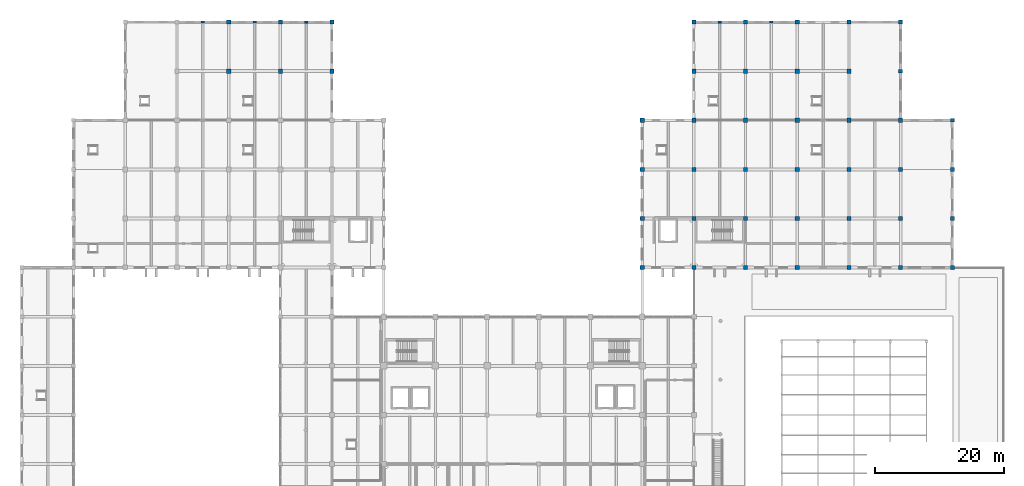
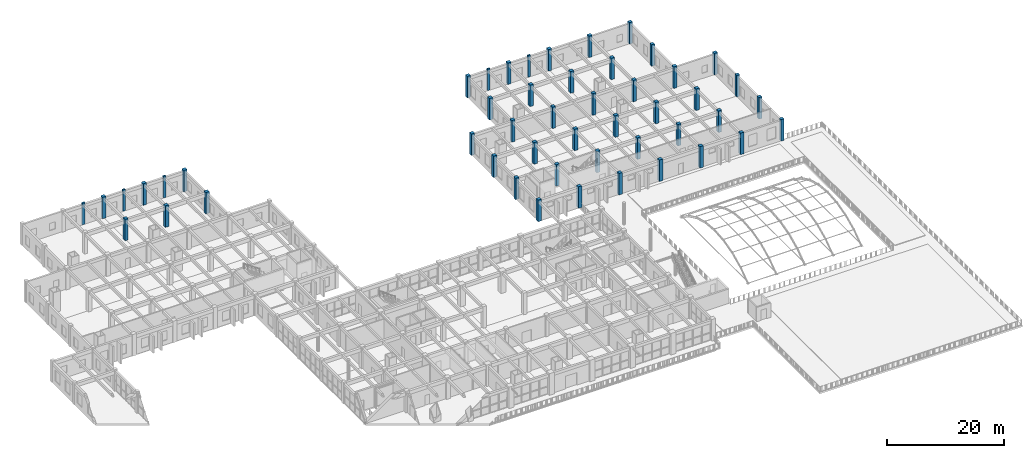
# One storey, part 2 of 79: 49 columns.
"""IFC4 building model written with IfcOpenShell, lengths in metres."""

from ifc_helpers import new_model, si_unit, direction, frame, origin, origin_2d, place, context, subcontext, project, spatial, rectangle, extrude, material, material_profile, profile_set, type_object, element, save


model = new_model("IFC4")

# Units and contexts
model_context = context("Model", 3, precision=1e-05, world=origin(), true_north=direction((0.0, 1.0)))
body_context = subcontext(model_context, "Body", "Model", "MODEL_VIEW")
ifc_project = project(units=[si_unit("LENGTHUNIT", "METRE"), si_unit("AREAUNIT", "SQUARE_METRE"), si_unit("VOLUMEUNIT", "CUBIC_METRE"), si_unit("PLANEANGLEUNIT", "RADIAN"), si_unit("MASSUNIT", "GRAM", prefix="KILO")], contexts=[model_context])

# Site, building, storey
site_placement = place(None, origin())
site = spatial("IfcSite", under=ifc_project, at=site_placement, CompositionType="ELEMENT")
building_placement = place(site_placement, origin())
building = spatial("IfcBuilding", under=site, at=building_placement, Name="Zantavel Square City Hall", CompositionType="ELEMENT")
storey_placement = place(building_placement, frame((0.0, 0.0, 10.199951171875)))
storey = spatial("IfcBuildingStorey", under=building, at=storey_placement, Name="L03", CompositionType="ELEMENT", Elevation=10.199951171875)

# Columns
ifc_material = material(Name="Concrete C40/50", Category="concrete")
ifc_material_profile_1 = material_profile(ifc_material, rectangle(XDim=0.60009765625, YDim=0.60009765625, at=origin_2d()), Name="RC 600x600")
ifc_profile_set_1 = profile_set([ifc_material_profile_1], Name="Concrete C40/50")
column_type_1 = type_object("IfcColumnType", Name="Column RC 600x600 C40/50", PredefinedType="COLUMN", material=ifc_profile_set_1)
for number, where, z_axis, x_axis, name in (
    (1, (144.0, 106.39990234375, 0.0), (0.0, 0.0, 1.0), (1.0, 0.0, 0.0), "L03 Column COL-L03-1440-1064"),
    (2, (144.0, 114.0, 0.0), (0.0, 0.0, 1.0), (1.0, 0.0, 0.0), "L03 Column COL-L03-1440-1140"),
    (3, (152.0, 76.0, 0.0), (0.0, 0.0, 1.0), (1.0, 0.0, 0.0), "L03 Column COL-L03-1520-0760"),
    (4, (152.0, 83.60009765625, 0.0), (0.0, 0.0, 1.0), (1.0, 0.0, 0.0), "L03 Column COL-L03-1520-0836"),
    (5, (152.0, 91.199951171875, 0.0), (0.0, 0.0, 1.0), (1.0, 0.0, 0.0), "L03 Column COL-L03-1520-0912"),
    (6, (152.0, 98.800048828125, 0.0), (0.0, 0.0, 1.0), (1.0, 0.0, 0.0), "L03 Column COL-L03-1520-0988"),
):
    element("IfcColumn", number, at=place(storey_placement, frame(where, z_axis=z_axis, x_axis=x_axis)), inside=storey, type_object=column_type_1, Name=name, PredefinedType="COLUMN", context=body_context, shape_type="SweptSolid", body=[
        extrude(rectangle(XDim=0.60009765625, YDim=0.60009765625, at=origin_2d()), origin(), (0.0, 0.0, 1.0), 4.5),
    ])
ifc_material_profile_2 = material_profile(ifc_material, rectangle(XDim=0.64990234375, YDim=0.64990234375, at=origin_2d()), Name="RC 650x650")
ifc_profile_set_2 = profile_set([ifc_material_profile_2], Name="Concrete C40/50")
column_type_2 = type_object("IfcColumnType", Name="Column RC 650x650 C40/50", PredefinedType="COLUMN", material=ifc_profile_set_2)
for number, where, z_axis, x_axis, name in (
    (7, (40.0, 106.39990234375, 0.0), (0.0, 0.0, 1.0), (1.0, 0.0, 0.0), "L03 Column COL-L03-0400-1064"),
    (8, (40.0, 114.0, 0.0), (0.0, 0.0, 1.0), (1.0, 0.0, 0.0), "L03 Column COL-L03-0400-1140"),
    (9, (48.0, 106.39990234375, 0.0), (0.0, 0.0, 1.0), (1.0, 0.0, 0.0), "L03 Column COL-L03-0480-1064"),
    (10, (48.0, 114.0, 0.0), (0.0, 0.0, 1.0), (1.0, 0.0, 0.0), "L03 Column COL-L03-0480-1140"),
    (11, (56.0, 106.39990234375, 0.0), (0.0, 0.0, 1.0), (1.0, 0.0, 0.0), "L03 Column COL-L03-0560-1064"),
    (12, (56.0, 114.0, 0.0), (0.0, 0.0, 1.0), (1.0, 0.0, 0.0), "L03 Column COL-L03-0560-1140"),
    (13, (104.0, 76.0, 0.0), (0.0, 0.0, 1.0), (1.0, 0.0, 0.0), "L03 Column COL-L03-1040-0760"),
    (14, (104.0, 83.60009765625, 0.0), (0.0, 0.0, 1.0), (1.0, 0.0, 0.0), "L03 Column COL-L03-1040-0836"),
    (15, (104.0, 91.199951171875, 0.0), (0.0, 0.0, 1.0), (1.0, 0.0, 0.0), "L03 Column COL-L03-1040-0912"),
    (16, (104.0, 98.800048828125, 0.0), (0.0, 0.0, 1.0), (1.0, 0.0, 0.0), "L03 Column COL-L03-1040-0988"),
    (17, (112.0, 76.0, 0.0), (0.0, 0.0, 1.0), (1.0, 0.0, 0.0), "L03 Column COL-L03-1120-0760"),
    (18, (112.0, 83.60009765625, 0.0), (0.0, 0.0, 1.0), (1.0, 0.0, 0.0), "L03 Column COL-L03-1120-0836"),
    (19, (112.0, 91.199951171875, 0.0), (0.0, 0.0, 1.0), (1.0, 0.0, 0.0), "L03 Column COL-L03-1120-0912"),
    (20, (112.0, 98.800048828125, 0.0), (0.0, 0.0, 1.0), (1.0, 0.0, 0.0), "L03 Column COL-L03-1120-0988"),
    (21, (112.0, 106.39990234375, 0.0), (0.0, 0.0, 1.0), (1.0, 0.0, 0.0), "L03 Column COL-L03-1120-1064"),
    (22, (112.0, 114.0, 0.0), (0.0, 0.0, 1.0), (1.0, 0.0, 0.0), "L03 Column COL-L03-1120-1140"),
    (23, (120.0, 76.0, 0.0), (0.0, 0.0, 1.0), (1.0, 0.0, 0.0), "L03 Column COL-L03-1200-0760"),
    (24, (120.0, 83.60009765625, 0.0), (0.0, 0.0, 1.0), (1.0, 0.0, 0.0), "L03 Column COL-L03-1200-0836"),
    (25, (120.0, 91.199951171875, 0.0), (0.0, 0.0, 1.0), (1.0, 0.0, 0.0), "L03 Column COL-L03-1200-0912"),
    (26, (120.0, 98.800048828125, 0.0), (0.0, 0.0, 1.0), (1.0, 0.0, 0.0), "L03 Column COL-L03-1200-0988"),
    (27, (120.0, 106.39990234375, 0.0), (0.0, 0.0, 1.0), (1.0, 0.0, 0.0), "L03 Column COL-L03-1200-1064"),
    (28, (120.0, 114.0, 0.0), (0.0, 0.0, 1.0), (1.0, 0.0, 0.0), "L03 Column COL-L03-1200-1140"),
    (29, (128.0, 76.0, 0.0), (0.0, 0.0, 1.0), (1.0, 0.0, 0.0), "L03 Column COL-L03-1280-0760"),
    (30, (128.0, 83.60009765625, 0.0), (0.0, 0.0, 1.0), (1.0, 0.0, 0.0), "L03 Column COL-L03-1280-0836"),
    (31, (128.0, 91.199951171875, 0.0), (0.0, 0.0, 1.0), (1.0, 0.0, 0.0), "L03 Column COL-L03-1280-0912"),
    (32, (128.0, 98.800048828125, 0.0), (0.0, 0.0, 1.0), (1.0, 0.0, 0.0), "L03 Column COL-L03-1280-0988"),
    (33, (128.0, 106.39990234375, 0.0), (0.0, 0.0, 1.0), (1.0, 0.0, 0.0), "L03 Column COL-L03-1280-1064"),
    (34, (128.0, 114.0, 0.0), (0.0, 0.0, 1.0), (1.0, 0.0, 0.0), "L03 Column COL-L03-1280-1140"),
    (35, (136.0, 76.0, 0.0), (0.0, 0.0, 1.0), (1.0, 0.0, 0.0), "L03 Column COL-L03-1360-0760"),
    (36, (136.0, 83.60009765625, 0.0), (0.0, 0.0, 1.0), (1.0, 0.0, 0.0), "L03 Column COL-L03-1360-0836"),
    (37, (136.0, 91.199951171875, 0.0), (0.0, 0.0, 1.0), (1.0, 0.0, 0.0), "L03 Column COL-L03-1360-0912"),
    (38, (136.0, 98.800048828125, 0.0), (0.0, 0.0, 1.0), (1.0, 0.0, 0.0), "L03 Column COL-L03-1360-0988"),
    (39, (136.0, 106.39990234375, 0.0), (0.0, 0.0, 1.0), (1.0, 0.0, 0.0), "L03 Column COL-L03-1360-1064"),
    (40, (136.0, 114.0, 0.0), (0.0, 0.0, 1.0), (1.0, 0.0, 0.0), "L03 Column COL-L03-1360-1140"),
    (41, (144.0, 76.0, 0.0), (0.0, 0.0, 1.0), (1.0, 0.0, 0.0), "L03 Column COL-L03-1440-0760"),
    (42, (144.0, 83.60009765625, 0.0), (0.0, 0.0, 1.0), (1.0, 0.0, 0.0), "L03 Column COL-L03-1440-0836"),
    (43, (144.0, 91.199951171875, 0.0), (0.0, 0.0, 1.0), (1.0, 0.0, 0.0), "L03 Column COL-L03-1440-0912"),
    (44, (144.0, 98.800048828125, 0.0), (0.0, 0.0, 1.0), (1.0, 0.0, 0.0), "L03 Column COL-L03-1440-0988"),
):
    element("IfcColumn", number, at=place(storey_placement, frame(where, z_axis=z_axis, x_axis=x_axis)), inside=storey, type_object=column_type_2, Name=name, PredefinedType="COLUMN", context=body_context, shape_type="SweptSolid", body=[
        extrude(rectangle(XDim=0.64990234375, YDim=0.64990234375, at=origin_2d()), origin(), (0.0, 0.0, 1.0), 4.5),
    ])
ifc_material_profile_3 = material_profile(ifc_material, rectangle(XDim=0.5, YDim=0.300048828125, at=origin_2d()), Name="RC 500x300")
ifc_profile_set_3 = profile_set([ifc_material_profile_3], Name="Concrete C40/50")
column_type_3 = type_object("IfcColumnType", Name="Courtyard Stone Pilaster 500x300 C40/50", PredefinedType="PILASTER", material=ifc_profile_set_3)
for number, where, z_axis, x_axis, name in (
    (45, (52.0, 114.0, 0.0), (0.0, 0.0, 1.0), (1.0, 0.0, 0.0), "L03 Facade Pilaster PIL-L03-0520-1140"),
    (46, (116.0, 114.0, 0.0), (0.0, 0.0, 1.0), (1.0, 0.0, 0.0), "L03 Facade Pilaster PIL-L03-1160-1140"),
):
    element("IfcColumn", number, at=place(storey_placement, frame(where, z_axis=z_axis, x_axis=x_axis)), inside=storey, type_object=column_type_3, Name=name, PredefinedType="PILASTER", context=body_context, shape_type="SweptSolid", body=[
        extrude(rectangle(XDim=0.5, YDim=0.300048828125, at=origin_2d()), origin(), (0.0, 0.0, 1.0), 4.5),
    ])
ifc_material_profile_4 = material_profile(ifc_material, rectangle(XDim=0.550048828125, YDim=0.320068359375, at=origin_2d()), Name="RC 550x320")
ifc_profile_set_4 = profile_set([ifc_material_profile_4], Name="Concrete C40/50")
column_type_4 = type_object("IfcColumnType", Name="North Wing Stone Pilaster 550x320 C40/50", PredefinedType="PILASTER", material=ifc_profile_set_4)
for number, where, z_axis, x_axis, name in (
    (47, (36.0, 114.0, 0.0), (0.0, 0.0, 1.0), (1.0, 0.0, 0.0), "L03 Facade Pilaster PIL-L03-0360-1140"),
    (48, (44.0, 114.0, 0.0), (0.0, 0.0, 1.0), (1.0, 0.0, 0.0), "L03 Facade Pilaster PIL-L03-0440-1140"),
    (49, (124.0, 114.0, 0.0), (0.0, 0.0, 1.0), (1.0, 0.0, 0.0), "L03 Facade Pilaster PIL-L03-1240-1140"),
):
    element("IfcColumn", number, at=place(storey_placement, frame(where, z_axis=z_axis, x_axis=x_axis)), inside=storey, type_object=column_type_4, Name=name, PredefinedType="PILASTER", context=body_context, shape_type="SweptSolid", body=[
        extrude(rectangle(XDim=0.550048828125, YDim=0.320068359375, at=origin_2d()), origin(), (0.0, 0.0, 1.0), 4.5),
    ])

save(model, "model.ifc")
